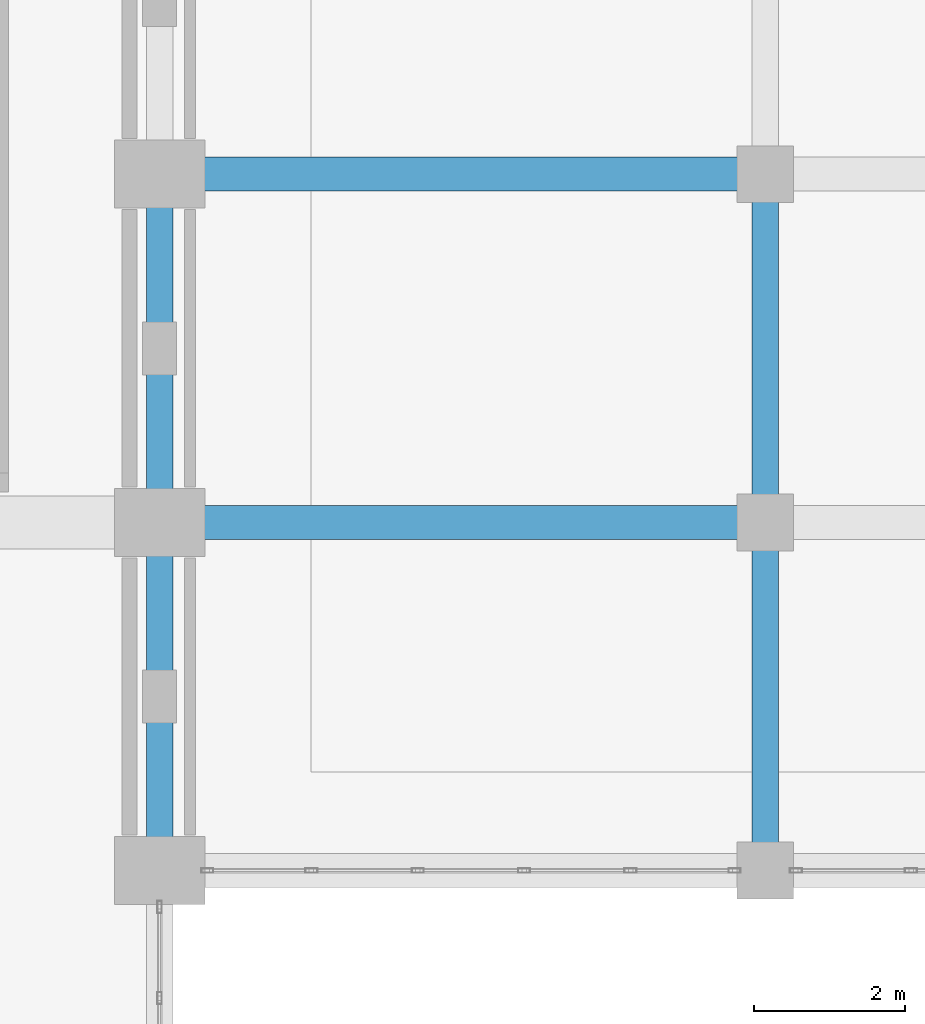
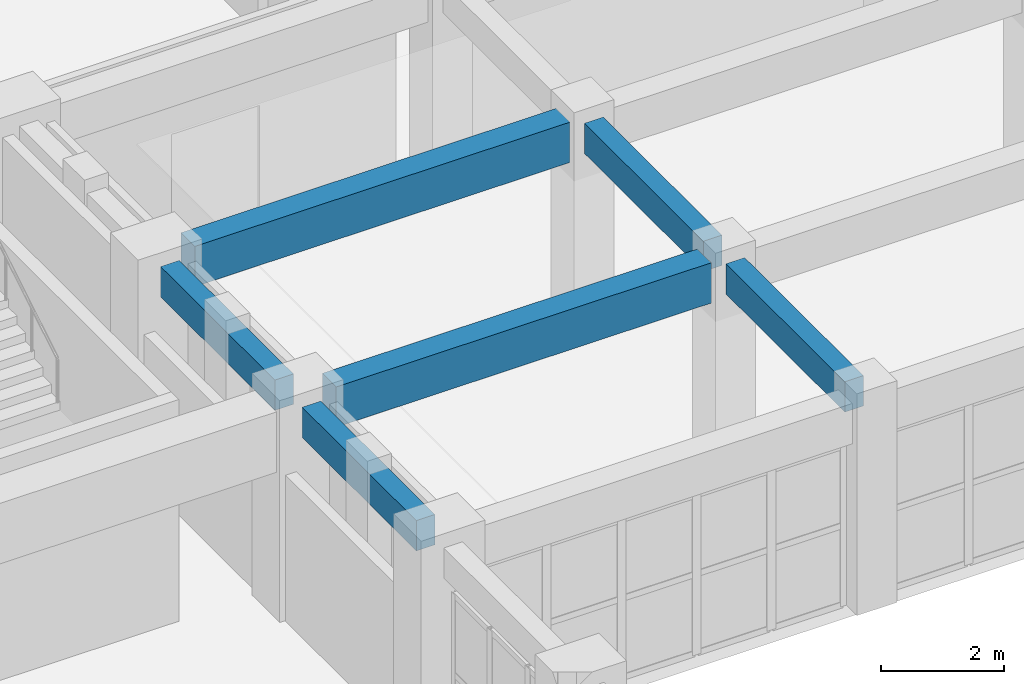
# One storey, part 67 of 116: 6 beams.
"""IFC4 building model written with IfcOpenShell, lengths in metres."""

from ifc_helpers import new_model, si_unit, direction, frame, origin, origin_2d, place, context, subcontext, project, spatial, rectangle, extrude, material, material_profile, profile_set, type_object, element, save


model = new_model("IFC4")

# Units and contexts
model_context = context("Model", 3, precision=1e-05, world=origin(), true_north=direction((0.0, 1.0)))
body_context = subcontext(model_context, "Body", "Model", "MODEL_VIEW")
ifc_project = project(units=[si_unit("LENGTHUNIT", "METRE"), si_unit("AREAUNIT", "SQUARE_METRE"), si_unit("VOLUMEUNIT", "CUBIC_METRE"), si_unit("PLANEANGLEUNIT", "RADIAN"), si_unit("MASSUNIT", "GRAM", prefix="KILO")], contexts=[model_context])

# Site, building, storey
site_placement = place(None, origin())
site = spatial("IfcSite", under=ifc_project, at=site_placement, CompositionType="ELEMENT")
building_placement = place(site_placement, origin())
building = spatial("IfcBuilding", under=site, at=building_placement, Name="Muzn Square Opera House", CompositionType="ELEMENT")
storey_placement = place(building_placement, frame((0.0, 0.0, 5.39990234375)))
storey = spatial("IfcBuildingStorey", under=building, at=storey_placement, Name="L01", CompositionType="ELEMENT", Elevation=5.39990234375)

# Beams
ifc_material = material(Name="Concrete C40/50", Category="concrete")
ifc_material_profile_1 = material_profile(ifc_material, rectangle(XDim=0.35009765625, YDim=0.60009765625, at=origin_2d()), Name="RCB 350x600", Category="concrete")
ifc_profile_set_1 = profile_set([ifc_material_profile_1], Name="Concrete C40/50")
beam_type_1 = type_object("IfcBeamType", Name="Primary Girder 350x600", PredefinedType="BEAM", material=ifc_profile_set_1)
beam_1_placement = place(storey_placement, frame((133.0, 54.64208984375, 3.820068359375), z_axis=(0.0, 1.0, 0.0), x_axis=(-1.0, 0.0, 0.0)))
element("IfcBeam", 1, at=beam_1_placement, inside=storey, type_object=beam_type_1, Name="Primary Girder BM-L01-BM-PG600-1330_546_1330_584-1708", PredefinedType="BEAM", context=body_context, shape_type="SweptSolid", body=[
    extrude(rectangle(XDim=0.35009765625, YDim=0.60009765625, at=origin_2d()), origin(), (0.0, 0.0, 1.0), 3.7158203125),
])
beam_2_placement = place(storey_placement, frame((133.0, 59.241943359375, 3.820068359375), z_axis=(0.0, 1.0, 0.0), x_axis=(-1.0, 0.0, 0.0)))
element("IfcBeam", 2, at=beam_2_placement, inside=storey, type_object=beam_type_1, Name="Primary Girder BM-L01-BM-PG600-1330_592_1330_630-1709", PredefinedType="BEAM", context=body_context, shape_type="SweptSolid", body=[
    extrude(rectangle(XDim=0.35009765625, YDim=0.60009765625, at=origin_2d()), origin(), (0.0, 0.0, 1.0), 3.716064453125),
])
beam_3_placement = place(storey_placement, frame((141.0, 54.56689453125, 3.820068359375), z_axis=(0.0, 1.0, 0.0), x_axis=(-1.0, 0.0, 0.0)))
element("IfcBeam", 3, at=beam_3_placement, inside=storey, type_object=beam_type_1, Name="Primary Girder BM-L01-BM-PG600-1410_546_1410_584-1720", PredefinedType="BEAM", context=body_context, shape_type="SweptSolid", body=[
    extrude(rectangle(XDim=0.35009765625, YDim=0.60009765625, at=origin_2d()), origin(), (0.0, 0.0, 1.0), 3.8662109375),
])
beam_4_placement = place(storey_placement, frame((141.0, 59.1669921875, 3.820068359375), z_axis=(0.0, 1.0, 0.0), x_axis=(-1.0, 0.0, 0.0)))
element("IfcBeam", 4, at=beam_4_placement, inside=storey, type_object=beam_type_1, Name="Primary Girder BM-L01-BM-PG600-1410_592_1410_630-1721", PredefinedType="BEAM", context=body_context, shape_type="SweptSolid", body=[
    extrude(rectangle(XDim=0.35009765625, YDim=0.60009765625, at=origin_2d()), origin(), (0.0, 0.0, 1.0), 3.865966796875),
])
ifc_material_profile_2 = material_profile(ifc_material, rectangle(XDim=0.449951171875, YDim=0.800048828125, at=origin_2d()), Name="RCB 450x800", Category="concrete")
ifc_profile_set_2 = profile_set([ifc_material_profile_2], Name="Concrete C40/50")
beam_type_2 = type_object("IfcBeamType", Name="Primary Girder 450x800", PredefinedType="BEAM", material=ifc_profile_set_2)
for number, where, z_axis, x_axis, name in (
    (5, (133.592041015625, 58.800048828125, 3.72021484375), (1.0, 0.0, 0.0), (0.0, 1.0, 0.0), "Primary Girder BM-L01-BM-PG800-1336_588_1406_588-1388"),
    (6, (133.592041015625, 63.39990234375, 3.72021484375), (1.0, 0.0, 0.0), (0.0, 1.0, 0.0), "Primary Girder BM-L01-BM-PG800-1336_634_1406_634-1406"),
):
    element("IfcBeam", number, at=place(storey_placement, frame(where, z_axis=z_axis, x_axis=x_axis)), inside=storey, type_object=beam_type_2, Name=name, PredefinedType="BEAM", context=body_context, shape_type="SweptSolid", body=[
        extrude(rectangle(XDim=0.449951171875, YDim=0.800048828125, at=origin_2d()), origin(), (0.0, 0.0, 1.0), 7.041015625),
    ])

save(model, "model.ifc")
